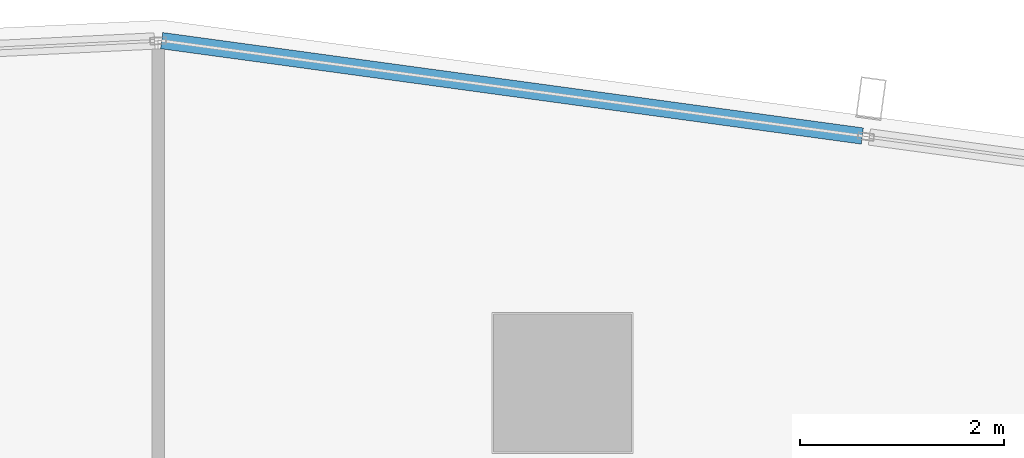
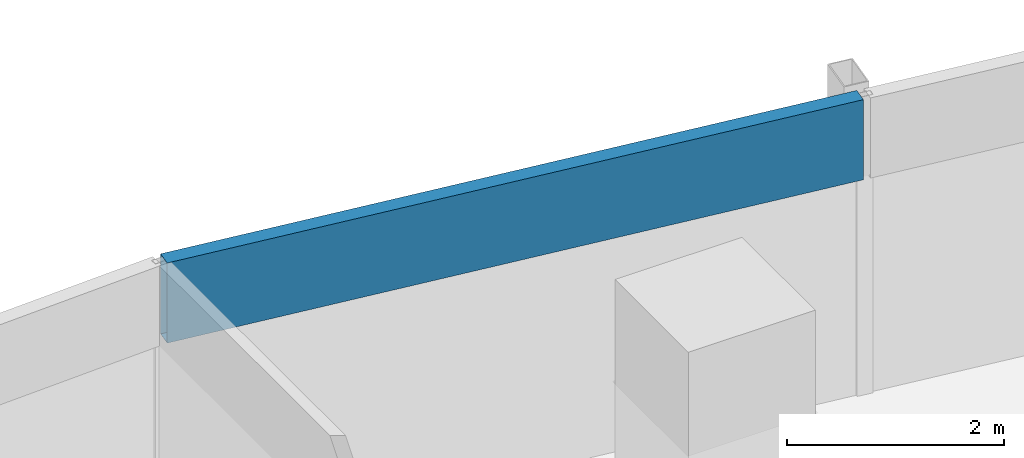
# One storey, part 22 of 40: 1 member, 1 element without a shape of its own.
"""IFC4 building model written with IfcOpenShell, lengths in metres."""

from ifc_helpers import new_model, si_unit, direction, frame, origin, origin_2d, place, context, subcontext, project, spatial, hollow_rectangle, extrude, material, material_profile, profile_set, type_object, element, aggregate, save


model = new_model("IFC4")

# Units and contexts
model_context = context("Model", 3, precision=1e-05, world=origin(), true_north=direction((0.0, 1.0)))
body_context = subcontext(model_context, "Body", "Model", "MODEL_VIEW")
ifc_project = project(units=[si_unit("LENGTHUNIT", "METRE"), si_unit("AREAUNIT", "SQUARE_METRE"), si_unit("VOLUMEUNIT", "CUBIC_METRE"), si_unit("PLANEANGLEUNIT", "RADIAN"), si_unit("MASSUNIT", "GRAM", prefix="KILO")], contexts=[model_context])

# Site, building, storey
site_placement = place(None, origin())
site = spatial("IfcSite", under=ifc_project, at=site_placement, CompositionType="ELEMENT")
building_placement = place(site_placement, origin())
building = spatial("IfcBuilding", under=site, at=building_placement, Name="Rekha Terrace Tower", CompositionType="ELEMENT")
storey_placement = place(building_placement, frame((0.0, 0.0, 213.949951171875)))
storey = spatial("IfcBuildingStorey", under=building, at=storey_placement, Name="L54", CompositionType="ELEMENT", Elevation=213.949951171875)

# Curtain wall, member
ifc_material_1 = material(Name="Aluminium framing", Category="aluminium")
curtain_wall_type = type_object("IfcCurtainWallType", Name="CW3 north unitised glazing", PredefinedType="USERDEFINED", material=ifc_material_1)
curtain_wall_placement = place(storey_placement, origin())
curtain_wall = element("IfcCurtainWall", 1, at=curtain_wall_placement, inside=storey, type_object=curtain_wall_type, Name="CW3 unitised curtain wall", ObjectType="UNITISED CURTAIN WALL", PredefinedType="USERDEFINED")
ifc_material_2 = material(Name="Insulated aluminium spandrel box", Category="aluminium")
ifc_material_profile = material_profile(ifc_material_2, hollow_rectangle(XDim=0.159912109375, YDim=0.89990234375, WallThickness=0.0029296875, at=origin_2d()), Name="AL SPANDREL BOX 160x900")
ifc_profile_set = profile_set([ifc_material_profile], Name="Insulated aluminium spandrel box")
member_type = type_object("IfcMemberType", Name="CW3 spandrel transom 160 x 900", PredefinedType="USERDEFINED", material=ifc_profile_set)
member_placement = place(storey_placement, frame((53.334716796875, 61.21630859375, 3.050048828125), z_axis=(-0.990863635349, 0.134867550367, 0.0), x_axis=(-0.134867550367, -0.990863635349, 0.0)))
member = element("IfcMember", 2, at=member_placement, type_object=member_type, Name="CW3 spandrel transom 2", ObjectType="TRANSOM", PredefinedType="USERDEFINED", context=body_context, shape_type="SweptSolid", body=[
    extrude(hollow_rectangle(XDim=0.159912109375, YDim=0.89990234375, WallThickness=0.0029296875, at=origin_2d()), origin(), (0.0, 0.0, 1.0), 6.918701171875),
])
aggregate(curtain_wall, [member])

save(model, "model.ifc")
